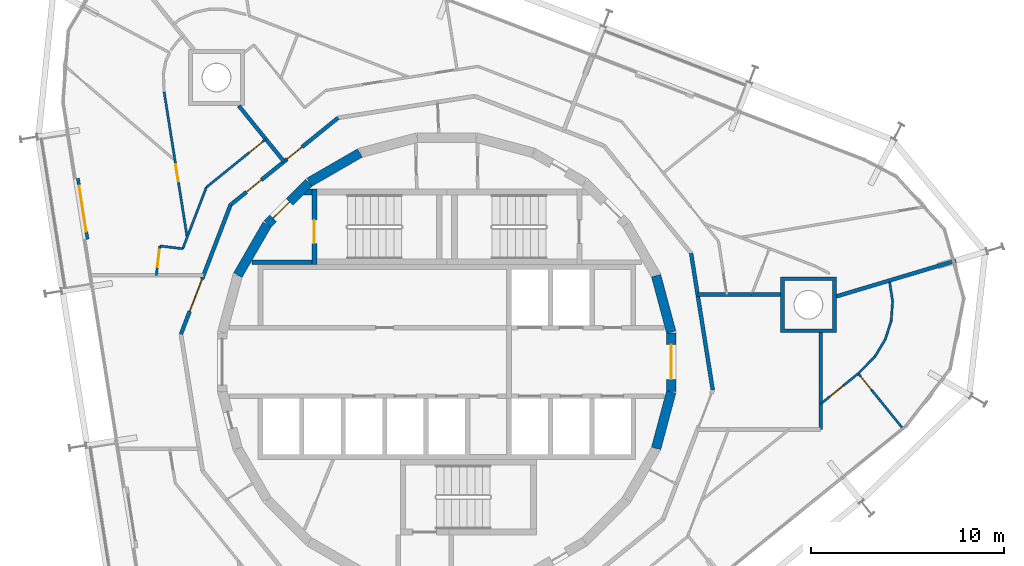
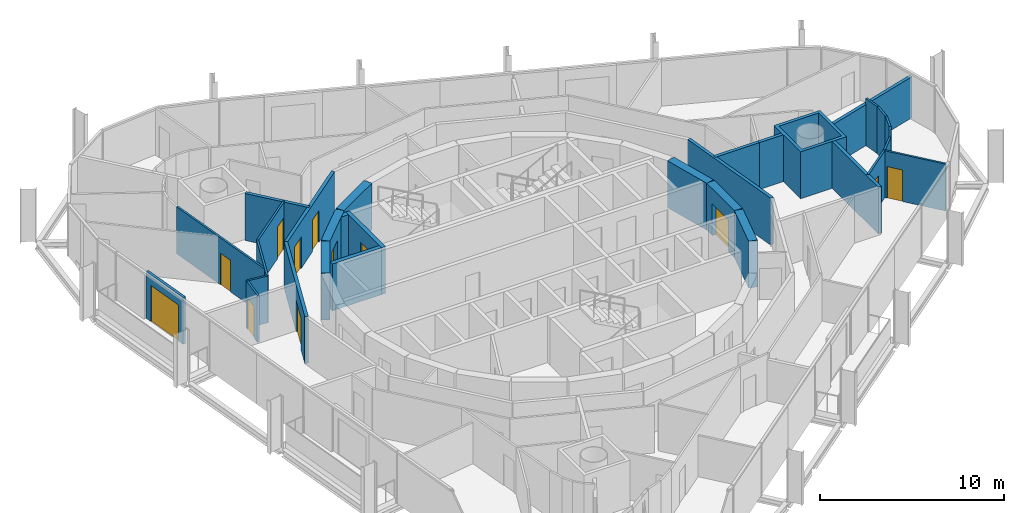
# One storey, part 14 of 17: 31 walls, 12 doors, 12 openings.
"""IFC4 building model written with IfcOpenShell, lengths in metres."""

from ifc_helpers import new_model, si_unit, direction, frame, frame_2d, origin, place, context, subcontext, project, spatial, polyline, rectangle, outline, extrude, material, layer, layer_set, type_object, element, fill, save


model = new_model("IFC4")

# Units and contexts
model_context = context("Model", 3, precision=1e-05, world=origin(), true_north=direction((0.0, 1.0)))
body_context = subcontext(model_context, "Body", "Model", "MODEL_VIEW")
ifc_project = project(units=[si_unit("LENGTHUNIT", "METRE"), si_unit("AREAUNIT", "SQUARE_METRE"), si_unit("VOLUMEUNIT", "CUBIC_METRE"), si_unit("PLANEANGLEUNIT", "RADIAN"), si_unit("MASSUNIT", "GRAM", prefix="KILO")], contexts=[model_context])

# Site, building, storey
site_placement = place(None, origin())
site = spatial("IfcSite", under=ifc_project, at=site_placement, CompositionType="ELEMENT")
building_placement = place(site_placement, origin())
building = spatial("IfcBuilding", under=site, at=building_placement, Name="Spindle Arch Residences", CompositionType="ELEMENT")
storey_placement = place(building_placement, frame((0.0, 0.0, 266.89990234375)))
storey = spatial("IfcBuildingStorey", under=building, at=storey_placement, Name="L68", CompositionType="ELEMENT", Elevation=266.89990234375)

# Wall
ifc_material_1 = material(Name="Concrete C50/60", Category="concrete")
ifc_layer_1 = layer(ifc_material_1, 0.5)
ifc_layer_set_1 = layer_set([ifc_layer_1], Name="Core outline wall 500")
wall_type_1 = type_object("IfcWallType", Name="Core outline wall 500", PredefinedType="SHEAR", material=ifc_layer_set_1)
wall_1_placement = place(storey_placement, frame((10.858154296875, -4.479248046875, 0.0), z_axis=(0.0, 0.0, 1.0), x_axis=(0.258734743916, 0.965948410781, 0.0)))
element("IfcWall", 1, at=wall_1_placement, inside=storey, type_object=wall_type_1, Name="Core outline wall 5", PredefinedType="SHEAR", context=body_context, shape_type="SweptSolid", body=[
    extrude(rectangle(XDim=3.03271484375, YDim=0.5, at=frame_2d((1.516357421875, 0.0))), origin(), (0.0, 0.0, 1.0), 3.1201171875),
])

# Wall, opening, door
wall_2_placement = place(storey_placement, frame((11.647216796875, -1.516357421875, 0.0), z_axis=(0.0, 0.0, 1.0), x_axis=(0.0, 1.0, 0.0)))
wall_2 = element("IfcWall", 2, at=wall_2_placement, inside=storey, type_object=wall_type_1, Name="Core outline wall 6", PredefinedType="SHEAR", context=body_context, shape_type="SweptSolid", body=[
    extrude(rectangle(XDim=3.03271484375, YDim=0.5, at=frame_2d((1.516357421875, 0.0))), origin(), (0.0, 0.0, 1.0), 3.1201171875),
])
opening_1_placement = place(wall_2_placement, frame((0.6162109375, 0.0, 0.0)))
opening_1 = element("IfcOpeningElement", 3, at=opening_1_placement, cuts=wall_2, Name="Opening R7A1-FE01", PredefinedType="OPENING", context=body_context, shape_type="SweptSolid", body=[
    extrude(rectangle(XDim=1.800048828125, YDim=2.10009765625, at=frame_2d((0.89990234375, 1.050048828125))), frame((0.0, 0.260009765625, 0.0), z_axis=(0.0, -1.0, 0.0), x_axis=(1.0, 0.0, 0.0)), (0.0, 0.0, 1.0), 0.52001953125),
])
ifc_material_2 = material(Name="Steel, fire-resisting door", Category="steel")
door_type_1 = type_object("IfcDoorType", Name="Fire-lift lobby door 1800x2100", OperationType="DOUBLE_DOOR_SINGLE_SWING", PredefinedType="DOOR", material=ifc_material_2)
door_1_placement = place(opening_1_placement, origin())
door_1 = element("IfcDoor", 4, at=door_1_placement, inside=storey, type_object=door_type_1, Name="Fire-lift lobby door R7A1-FE01", OperationType="DOUBLE_DOOR_SINGLE_SWING", OverallHeight=2.10009765625, OverallWidth=1.800048828125, PredefinedType="DOOR", context=body_context, shape_type="SweptSolid", body=[
    extrude(rectangle(XDim=1.800048828125, YDim=2.10009765625, at=frame_2d((0.89990234375, 1.050048828125))), frame((0.0, 0.02490234375, 0.0), z_axis=(0.0, -1.0, 0.0), x_axis=(1.0, 0.0, 0.0)), (0.0, 0.0, 1.0), 0.050048828125),
])
fill(opening_1, door_1)

# Walls
for number, where, z_axis, x_axis, name in (
    (5, (11.642822265625, 1.5498046875, 0.0), (0.0, 0.0, 1.0), (-0.258734743916, 0.965948410781, 0.0), "Core outline wall 7"),
    (6, (-4.510498046875, 10.84521484375, 0.0), (0.0, 0.0, 1.0), (-0.865975092491, -0.500087131594, 0.0), "Core outline wall 14"),
):
    element("IfcWall", number, at=place(storey_placement, frame(where, z_axis=z_axis, x_axis=x_axis)), inside=storey, type_object=wall_type_1, Name=name, PredefinedType="SHEAR", context=body_context, shape_type="SweptSolid", body=[
        extrude(rectangle(XDim=3.03271484375, YDim=0.5, at=frame_2d((1.516357421875, 0.0))), origin(), (0.0, 0.0, 1.0), 3.1201171875),
    ])

# Wall, opening, door
wall_3_placement = place(storey_placement, frame((-7.163818359375, 9.30810546875, 0.0), z_axis=(0.0, 0.0, 1.0), x_axis=(-0.707106781187, -0.707106781187, 0.0)))
wall_3 = element("IfcWall", 7, at=wall_3_placement, inside=storey, type_object=wall_type_1, Name="Core outline wall 15", PredefinedType="SHEAR", context=body_context, shape_type="SweptSolid", body=[
    extrude(rectangle(XDim=3.032470703125, YDim=0.5, at=frame_2d((1.51611328125, 0.0))), origin(), (0.0, 0.0, 1.0), 3.1201171875),
])
opening_2_placement = place(wall_3_placement, frame((1.416259765625, 0.0, 0.0)))
opening_2 = element("IfcOpeningElement", 8, at=opening_2_placement, cuts=wall_3, Name="Opening R7A1-AD02", PredefinedType="OPENING", context=body_context, shape_type="SweptSolid", body=[
    extrude(rectangle(XDim=1.199951171875, YDim=2.10009765625, at=frame_2d((0.60009765625, 1.050048828125))), frame((0.0, 0.260009765625, 0.0), z_axis=(0.0, -1.0, 0.0), x_axis=(1.0, 0.0, 0.0)), (0.0, 0.0, 1.0), 0.52001953125),
])
ifc_material_3 = material(Name="Steel, fire-resisting door", Category="steel")
door_type_2 = type_object("IfcDoorType", Name="Stair airlock door 1200x2100", OperationType="SINGLE_SWING_LEFT", PredefinedType="DOOR", material=ifc_material_3)
door_2_placement = place(opening_2_placement, origin())
door_2 = element("IfcDoor", 9, at=door_2_placement, inside=storey, type_object=door_type_2, Name="Stair airlock door R7A1-AD02", OperationType="SINGLE_SWING_RIGHT", OverallHeight=2.10009765625, OverallWidth=1.199951171875, PredefinedType="DOOR", context=body_context, shape_type="SweptSolid", body=[
    extrude(rectangle(XDim=1.199951171875, YDim=2.10009765625, at=frame_2d((0.60009765625, 1.050048828125))), frame((0.0, 0.02490234375, 0.0), z_axis=(0.0, -1.0, 0.0), x_axis=(1.0, 0.0, 0.0)), (0.0, 0.0, 1.0), 0.050048828125),
])
fill(opening_2, door_2)

# Wall
wall_4_placement = place(storey_placement, frame((-9.32861328125, 7.13671875, 0.0), z_axis=(0.0, 0.0, 1.0), x_axis=(-0.500087131594, -0.865975092491, 0.0)))
element("IfcWall", 10, at=wall_4_placement, inside=storey, type_object=wall_type_1, Name="Core outline wall 16", PredefinedType="SHEAR", context=body_context, shape_type="SweptSolid", body=[
    extrude(rectangle(XDim=3.03271484375, YDim=0.5, at=frame_2d((1.516357421875, 0.0))), origin(), (0.0, 0.0, 1.0), 3.1201171875),
])

# Wall, openings, doors
ifc_material_4 = material(Name="Calcium silicate block, plastered")
ifc_layer_2 = layer(ifc_material_4, 0.199951171875)
ifc_layer_set_2 = layer_set([ifc_layer_2], Name="Corridor wall 200")
wall_type_2 = type_object("IfcWallType", Name="Corridor wall 200", PredefinedType="STANDARD", material=ifc_layer_set_2)
wall_5_placement = place(storey_placement, frame((-5.642578125, 12.67333984375, 0.0), z_axis=(0.0, 0.0, 1.0), x_axis=(-0.777160148113, -0.629302871585, 0.0)))
wall_5 = element("IfcWall", 11, at=wall_5_placement, inside=storey, type_object=wall_type_2, Name="Corridor wall R7A1-W011", PredefinedType="STANDARD", context=body_context, shape_type="SweptSolid", body=[
    extrude(rectangle(XDim=7.180908203125, YDim=0.199951171875, at=frame_2d((3.59033203125, 0.0))), origin(), (0.0, 0.0, 1.0), 3.1201171875),
])
opening_3_placement = place(wall_5_placement, frame((2.410400390625, 0.0, 0.0)))
opening_3 = element("IfcOpeningElement", 12, at=opening_3_placement, cuts=wall_5, Name="Opening R7A1-FD02", PredefinedType="OPENING", context=body_context, shape_type="SweptSolid", body=[
    extrude(rectangle(XDim=1.0, YDim=2.10009765625, at=frame_2d((0.5, 1.050048828125))), frame((0.0, 0.10986328125, 0.0), z_axis=(0.0, -1.0, 0.0), x_axis=(1.0, 0.0, 0.0)), (0.0, 0.0, 1.0), 0.219970703125),
])
opening_4_placement = place(wall_5_placement, frame((5.111572265625, 0.0, 0.0)))
opening_4 = element("IfcOpeningElement", 13, at=opening_4_placement, cuts=wall_5, Name="Opening R7A1-FD03", PredefinedType="OPENING", context=body_context, shape_type="SweptSolid", body=[
    extrude(rectangle(XDim=1.0, YDim=2.10009765625, at=frame_2d((0.5, 1.050048828125))), frame((0.0, 0.10986328125, 0.0), z_axis=(0.0, -1.0, 0.0), x_axis=(1.0, 0.0, 0.0)), (0.0, 0.0, 1.0), 0.219970703125),
])
ifc_material_5 = material(Name="Timber, fire-resisting door set", Category="wood")
door_type_3 = type_object("IfcDoorType", Name="Flat entrance door 1000x2100", OperationType="NOTDEFINED", PredefinedType="DOOR", material=ifc_material_5)
door_3_placement = place(opening_3_placement, origin())
door_3 = element("IfcDoor", 14, at=door_3_placement, inside=storey, type_object=door_type_3, Name="Flat entrance door R7A1-FD02", OperationType="SINGLE_SWING_RIGHT", OverallHeight=2.10009765625, OverallWidth=1.0, PredefinedType="DOOR", context=body_context, shape_type="SweptSolid", body=[
    extrude(rectangle(XDim=1.0, YDim=2.10009765625, at=frame_2d((0.5, 1.050048828125))), frame((0.0, 0.02490234375, 0.0), z_axis=(0.0, -1.0, 0.0), x_axis=(1.0, 0.0, 0.0)), (0.0, 0.0, 1.0), 0.050048828125),
])
fill(opening_3, door_3)
door_4_placement = place(opening_4_placement, origin())
door_4 = element("IfcDoor", 15, at=door_4_placement, inside=storey, type_object=door_type_3, Name="Flat entrance door R7A1-FD03", OperationType="SINGLE_SWING_LEFT", OverallHeight=2.10009765625, OverallWidth=1.0, PredefinedType="DOOR", context=body_context, shape_type="SweptSolid", body=[
    extrude(rectangle(XDim=1.0, YDim=2.10009765625, at=frame_2d((0.5, 1.050048828125))), frame((0.0, 0.02490234375, 0.0), z_axis=(0.0, -1.0, 0.0), x_axis=(1.0, 0.0, 0.0)), (0.0, 0.0, 1.0), 0.050048828125),
])
fill(opening_4, door_4)

# Walls
ifc_material_6 = material(Name="Calcium silicate block, plastered")
ifc_layer_3 = layer(ifc_material_6, 0.199951171875)
ifc_layer_set_3 = layer_set([ifc_layer_3], Name="Fire-lift lobby bay wall 200")
wall_type_3 = type_object("IfcWallType", Name="Fire-lift lobby bay wall 200", PredefinedType="STANDARD", material=ifc_layer_set_3)
wall_6_placement = place(storey_placement, frame((13.796630859375, -1.4501953125, 0.0), z_axis=(0.0, 0.0, 1.0), x_axis=(-0.156421704315, 0.987690361611, 0.0)))
element("IfcWall", 16, at=wall_6_placement, inside=storey, type_object=wall_type_3, Name="Fire-lift lobby bay wall R7A1-W005", PredefinedType="STANDARD", context=body_context, shape_type="SweptSolid", body=[
    extrude(rectangle(XDim=7.18115234375, YDim=0.199951171875, at=frame_2d((3.590576171875, 0.0))), origin(), (0.0, 0.0, 1.0), 3.1201171875),
])
wall_7_placement = place(storey_placement, frame((15.819091796875, 3.5, 0.0), z_axis=(0.0, 0.0, 1.0), x_axis=(-1.0, 0.0, 0.0)))
element("IfcWall", 17, at=wall_7_placement, inside=storey, type_object=wall_type_3, Name="Fire-lift lobby bay wall R7A1-W018", PredefinedType="STANDARD", context=body_context, shape_type="SweptSolid", body=[
    extrude(rectangle(XDim=2.806396484375, YDim=0.199951171875, at=frame_2d((1.4033203125, 0.0))), origin(), (0.0, 0.0, 1.0), 3.1201171875),
])
wall_8_placement = place(storey_placement, frame((17.309326171875, 3.5, 0.0), z_axis=(0.0, 0.0, 1.0), x_axis=(-1.0, 0.0, 0.0)))
element("IfcWall", 18, at=wall_8_placement, inside=storey, type_object=wall_type_3, Name="Fire-lift lobby bay wall R7A1-W019", PredefinedType="STANDARD", context=body_context, shape_type="SweptSolid", body=[
    extrude(rectangle(XDim=1.490234375, YDim=0.199951171875, at=frame_2d((0.7451171875, 0.0))), origin(), (0.0, 0.0, 1.0), 3.1201171875),
])
wall_9_placement = place(storey_placement, frame((19.39990234375, -3.5, 0.0), z_axis=(0.0, 0.0, 1.0), x_axis=(0.0, 1.0, 0.0)))
element("IfcWall", 19, at=wall_9_placement, inside=storey, type_object=wall_type_3, Name="Fire-lift lobby bay wall R7A1-W021", PredefinedType="STANDARD", context=body_context, shape_type="SweptSolid", body=[
    extrude(rectangle(XDim=5.021240234375, YDim=0.199951171875, at=frame_2d((2.5107421875, 0.0))), origin(), (0.0, 0.0, 1.0), 3.1201171875),
])

# Wall, opening, door
ifc_material_7 = material(Name="Plasterboard on steel studs", Category="steel")
ifc_layer_4 = layer(ifc_material_7, 0.1201171875)
ifc_layer_set_4 = layer_set([ifc_layer_4], Name="Flat partition 120")
wall_type_4 = type_object("IfcWallType", Name="Flat partition 120", PredefinedType="PARTITIONING", material=ifc_layer_set_4)
wall_10_placement = place(storey_placement, frame((-9.393310546875, 11.56640625, 0.0), z_axis=(0.0, 0.0, 1.0), x_axis=(-0.777100258587, -0.629376825205, 0.0)))
wall_10 = element("IfcWall", 20, at=wall_10_placement, inside=storey, type_object=wall_type_4, Name="Flat partition R7A1-W051", PredefinedType="PARTITIONING", context=body_context, shape_type="SweptSolid", body=[
    extrude(rectangle(XDim=3.971435546875, YDim=0.1201171875, at=frame_2d((1.98583984375, 0.0))), origin(), (0.0, 0.0, 1.0), 3.1201171875),
])
opening_5_placement = place(wall_10_placement, frame((0.199951171875, 0.0, 0.0)))
opening_5 = element("IfcOpeningElement", 21, at=opening_5_placement, cuts=wall_10, Name="Opening R7A1-ID10", PredefinedType="OPENING", context=body_context, shape_type="SweptSolid", body=[
    extrude(rectangle(XDim=0.89990234375, YDim=2.10009765625, at=frame_2d((0.449951171875, 1.050048828125))), frame((0.0, 0.070068359375, 0.0), z_axis=(0.0, -1.0, 0.0), x_axis=(1.0, 0.0, 0.0)), (0.0, 0.0, 1.0), 0.14013671875),
])
ifc_material_8 = material(Name="Timber door set", Category="wood")
door_type_4 = type_object("IfcDoorType", Name="Room door 900x2100", OperationType="NOTDEFINED", PredefinedType="DOOR", material=ifc_material_8)
door_5_placement = place(opening_5_placement, origin())
door_5 = element("IfcDoor", 22, at=door_5_placement, inside=storey, type_object=door_type_4, Name="Room door R7A1-ID10", OperationType="SINGLE_SWING_LEFT", OverallHeight=2.10009765625, OverallWidth=0.89990234375, PredefinedType="DOOR", context=body_context, shape_type="SweptSolid", body=[
    extrude(rectangle(XDim=0.89990234375, YDim=2.10009765625, at=frame_2d((0.449951171875, 1.050048828125))), frame((0.0, 0.02490234375, 0.0), z_axis=(0.0, -1.0, 0.0), x_axis=(1.0, 0.0, 0.0)), (0.0, 0.0, 1.0), 0.050048828125),
])
fill(opening_5, door_5)

# Walls
wall_11_placement = place(storey_placement, frame((-12.4794921875, 9.06689453125, 0.0), z_axis=(0.0, 0.0, 1.0), x_axis=(-0.358394302064, -0.933570310286, 0.0)))
element("IfcWall", 23, at=wall_11_placement, inside=storey, type_object=wall_type_4, Name="Flat partition R7A1-W052", PredefinedType="PARTITIONING", context=body_context, shape_type="SweptSolid", body=[
    extrude(rectangle(XDim=3.41357421875, YDim=0.1201171875, at=frame_2d((1.706787109375, 0.0))), origin(), (0.0, 0.0, 1.0), 3.1201171875),
])
wall_12_placement = place(storey_placement, frame((-13.702880859375, 5.880126953125, 0.0), z_axis=(0.0, 0.0, 1.0), x_axis=(-0.992763323859, 0.120087396509, 0.0)))
element("IfcWall", 24, at=wall_12_placement, inside=storey, type_object=wall_type_4, Name="Flat partition R7A1-W053", PredefinedType="PARTITIONING", context=body_context, shape_type="SweptSolid", body=[
    extrude(rectangle(XDim=1.1953125, YDim=0.1201171875, at=frame_2d((0.59765625, 0.0))), origin(), (0.0, 0.0, 1.0), 3.1201171875),
])

# Wall, opening, door
wall_13_placement = place(storey_placement, frame((-14.8896484375, 6.023681640625, 0.0), z_axis=(0.0, 0.0, 1.0), x_axis=(-0.120255360044, -0.992742992109, 0.0)))
wall_13 = element("IfcWall", 25, at=wall_13_placement, inside=storey, type_object=wall_type_4, Name="Flat partition R7A1-W054", PredefinedType="PARTITIONING", context=body_context, shape_type="SweptSolid", body=[
    extrude(rectangle(XDim=1.534912109375, YDim=0.1201171875, at=frame_2d((0.767578125, 0.0))), origin(), (0.0, 0.0, 1.0), 3.1201171875),
])
opening_6_placement = place(wall_13_placement, frame((0.199951171875, 0.0, 0.0)))
opening_6 = element("IfcOpeningElement", 26, at=opening_6_placement, cuts=wall_13, Name="Opening R7A1-ID11", PredefinedType="OPENING", context=body_context, shape_type="SweptSolid", body=[
    extrude(rectangle(XDim=0.89990234375, YDim=2.10009765625, at=frame_2d((0.449951171875, 1.050048828125))), frame((0.0, 0.070068359375, 0.0), z_axis=(0.0, -1.0, 0.0), x_axis=(1.0, 0.0, 0.0)), (0.0, 0.0, 1.0), 0.14013671875),
])
door_6_placement = place(opening_6_placement, origin())
door_6 = element("IfcDoor", 27, at=door_6_placement, inside=storey, type_object=door_type_4, Name="Room door R7A1-ID11", OperationType="SINGLE_SWING_LEFT", OverallHeight=2.10009765625, OverallWidth=0.89990234375, PredefinedType="DOOR", context=body_context, shape_type="SweptSolid", body=[
    extrude(rectangle(XDim=0.89990234375, YDim=2.10009765625, at=frame_2d((0.449951171875, 1.050048828125))), frame((0.0, 0.02490234375, 0.0), z_axis=(0.0, -1.0, 0.0), x_axis=(1.0, 0.0, 0.0)), (0.0, 0.0, 1.0), 0.050048828125),
])
fill(opening_6, door_6)

wall_14_placement = place(storey_placement, frame((-14.6708984375, 14.023193359375, 0.0), z_axis=(0.0, 0.0, 1.0), x_axis=(0.156438190471, -0.987687750538, 0.0)))
wall_14 = element("IfcWall", 28, at=wall_14_placement, inside=storey, type_object=wall_type_4, Name="Flat partition R7A1-W061", PredefinedType="PARTITIONING", context=body_context, shape_type="SweptSolid", body=[
    extrude(rectangle(XDim=7.643798828125, YDim=0.1201171875, at=frame_2d((3.82177734375, 0.0))), origin(), (0.0, 0.0, 1.0), 3.1201171875),
])
opening_7_placement = place(wall_14_placement, frame((3.802734375, 0.0, 0.0)))
opening_7 = element("IfcOpeningElement", 29, at=opening_7_placement, cuts=wall_14, Name="Opening R7A1-ID13", PredefinedType="OPENING", context=body_context, shape_type="SweptSolid", body=[
    extrude(rectangle(XDim=0.89990234375, YDim=2.10009765625, at=frame_2d((0.449951171875, 1.050048828125))), frame((0.0, 0.070068359375, 0.0), z_axis=(0.0, -1.0, 0.0), x_axis=(1.0, 0.0, 0.0)), (0.0, 0.0, 1.0), 0.14013671875),
])
door_7_placement = place(opening_7_placement, origin())
door_7 = element("IfcDoor", 30, at=door_7_placement, inside=storey, type_object=door_type_4, Name="Room door R7A1-ID13", OperationType="SINGLE_SWING_RIGHT", OverallHeight=2.10009765625, OverallWidth=0.89990234375, PredefinedType="DOOR", context=body_context, shape_type="SweptSolid", body=[
    extrude(rectangle(XDim=0.89990234375, YDim=2.10009765625, at=frame_2d((0.449951171875, 1.050048828125))), frame((0.0, 0.02490234375, 0.0), z_axis=(0.0, -1.0, 0.0), x_axis=(1.0, 0.0, 0.0)), (0.0, 0.0, 1.0), 0.050048828125),
])
fill(opening_7, door_7)

# Walls
wall_15_placement = place(storey_placement, frame((22.972412109375, 4.15283203125, 0.0), z_axis=(0.0, 0.0, 1.0), x_axis=(0.156209385929, -0.987723963336, 0.0)))
element("IfcWall", 31, at=wall_15_placement, inside=storey, type_object=wall_type_4, Name="Flat partition R7A1-W087", PredefinedType="PARTITIONING", context=body_context, shape_type="SweptSolid", body=[
    extrude(rectangle(XDim=1.015869140625, YDim=0.1201171875, at=frame_2d((0.5078125, 0.0))), origin(), (0.0, 0.0, 1.0), 3.1201171875),
])
wall_16_placement = place(storey_placement, frame((23.131103515625, 3.1494140625, 0.0), z_axis=(0.0, 0.0, 1.0), x_axis=(-0.075446997935, -0.99714981347, 0.0)))
element("IfcWall", 32, at=wall_16_placement, inside=storey, type_object=wall_type_4, Name="Flat partition R7A1-W088", PredefinedType="PARTITIONING", context=body_context, shape_type="SweptSolid", body=[
    extrude(rectangle(XDim=1.01611328125, YDim=0.1201171875, at=frame_2d((0.508056640625, 0.0))), origin(), (0.0, 0.0, 1.0), 3.1201171875),
])
wall_17_placement = place(storey_placement, frame((23.054443359375, 2.13623046875, 0.0), z_axis=(0.0, 0.0, 1.0), x_axis=(-0.303511129679, -0.952827893253, 0.0)))
element("IfcWall", 33, at=wall_17_placement, inside=storey, type_object=wall_type_4, Name="Flat partition R7A1-W089", PredefinedType="PARTITIONING", context=body_context, shape_type="SweptSolid", body=[
    extrude(rectangle(XDim=1.015869140625, YDim=0.1201171875, at=frame_2d((0.5078125, 0.0))), origin(), (0.0, 0.0, 1.0), 3.1201171875),
])
wall_18_placement = place(storey_placement, frame((22.74609375, 1.168212890625, 0.0), z_axis=(0.0, 0.0, 1.0), x_axis=(-0.515096534995, -0.857132171626, 0.0)))
element("IfcWall", 34, at=wall_18_placement, inside=storey, type_object=wall_type_4, Name="Flat partition R7A1-W090", PredefinedType="PARTITIONING", context=body_context, shape_type="SweptSolid", body=[
    extrude(rectangle(XDim=1.015625, YDim=0.1201171875, at=frame_2d((0.5078125, 0.0))), origin(), (0.0, 0.0, 1.0), 3.1201171875),
])
wall_19_placement = place(storey_placement, frame((22.222900390625, 0.297607421875, 0.0), z_axis=(0.0, 0.0, 1.0), x_axis=(-0.69880109182, -0.715316037896, 0.0)))
element("IfcWall", 35, at=wall_19_placement, inside=storey, type_object=wall_type_4, Name="Flat partition R7A1-W091", PredefinedType="PARTITIONING", context=body_context, shape_type="SweptSolid", body=[
    extrude(rectangle(XDim=1.22705078125, YDim=0.1201171875, at=frame_2d((0.613525390625, 0.0))), origin(), (0.0, 0.0, 1.0), 3.1201171875),
])

# Wall, opening, door
wall_20_placement = place(storey_placement, frame((21.346923828125, -0.59521484375, 0.0), z_axis=(0.0, 0.0, 1.0), x_axis=(0.62934843781, -0.7771232488, 0.0)))
wall_20 = element("IfcWall", 36, at=wall_20_placement, inside=storey, type_object=wall_type_4, Name="Flat partition R7A1-W092", PredefinedType="PARTITIONING", context=body_context, shape_type="SweptSolid", body=[
    extrude(rectangle(XDim=3.599853515625, YDim=0.1201171875, at=frame_2d((1.7998046875, 0.0))), origin(), (0.0, 0.0, 1.0), 3.1201171875),
])
opening_8_placement = place(wall_20_placement, frame((0.199951171875, 0.0, 0.0)))
opening_8 = element("IfcOpeningElement", 37, at=opening_8_placement, cuts=wall_20, Name="Opening R7A1-ID25", PredefinedType="OPENING", context=body_context, shape_type="SweptSolid", body=[
    extrude(rectangle(XDim=0.89990234375, YDim=2.10009765625, at=frame_2d((0.449951171875, 1.050048828125))), frame((0.0, 0.070068359375, 0.0), z_axis=(0.0, -1.0, 0.0), x_axis=(1.0, 0.0, 0.0)), (0.0, 0.0, 1.0), 0.14013671875),
])
door_8_placement = place(opening_8_placement, origin())
door_8 = element("IfcDoor", 38, at=door_8_placement, inside=storey, type_object=door_type_4, Name="Room door R7A1-ID25", OperationType="SINGLE_SWING_RIGHT", OverallHeight=2.10009765625, OverallWidth=0.89990234375, PredefinedType="DOOR", context=body_context, shape_type="SweptSolid", body=[
    extrude(rectangle(XDim=0.89990234375, YDim=2.10009765625, at=frame_2d((0.449951171875, 1.050048828125))), frame((0.0, 0.02490234375, 0.0), z_axis=(0.0, -1.0, 0.0), x_axis=(1.0, 0.0, 0.0)), (0.0, 0.0, 1.0), 0.050048828125),
])
fill(opening_8, door_8)

wall_21_placement = place(storey_placement, frame((19.39990234375, -2.171875, 0.0), z_axis=(0.0, 0.0, 1.0), x_axis=(0.777147279935, 0.629318762862, 0.0)))
wall_21 = element("IfcWall", 39, at=wall_21_placement, inside=storey, type_object=wall_type_4, Name="Flat partition R7A1-W093", PredefinedType="PARTITIONING", context=body_context, shape_type="SweptSolid", body=[
    extrude(rectangle(XDim=2.50537109375, YDim=0.1201171875, at=frame_2d((1.252685546875, 0.0))), origin(), (0.0, 0.0, 1.0), 3.1201171875),
])
opening_9_placement = place(wall_21_placement, frame((0.60009765625, 0.0, 0.0)))
opening_9 = element("IfcOpeningElement", 40, at=opening_9_placement, cuts=wall_21, Name="Opening R7A1-ID26", PredefinedType="OPENING", context=body_context, shape_type="SweptSolid", body=[
    extrude(rectangle(XDim=0.89990234375, YDim=2.10009765625, at=frame_2d((0.449951171875, 1.050048828125))), frame((0.0, 0.070068359375, 0.0), z_axis=(0.0, -1.0, 0.0), x_axis=(1.0, 0.0, 0.0)), (0.0, 0.0, 1.0), 0.14013671875),
])
door_9_placement = place(opening_9_placement, origin())
door_9 = element("IfcDoor", 41, at=door_9_placement, inside=storey, type_object=door_type_4, Name="Room door R7A1-ID26", OperationType="SINGLE_SWING_LEFT", OverallHeight=2.10009765625, OverallWidth=0.89990234375, PredefinedType="DOOR", context=body_context, shape_type="SweptSolid", body=[
    extrude(rectangle(XDim=0.89990234375, YDim=2.10009765625, at=frame_2d((0.449951171875, 1.050048828125))), frame((0.0, 0.02490234375, 0.0), z_axis=(0.0, -1.0, 0.0), x_axis=(1.0, 0.0, 0.0)), (0.0, 0.0, 1.0), 0.050048828125),
])
fill(opening_9, door_9)

# Walls
ifc_material_9 = material(Name="Calcium silicate block, plastered")
ifc_layer_5 = layer(ifc_material_9, 0.199951171875)
ifc_layer_set_5 = layer_set([ifc_layer_5], Name="Flat party wall 200")
wall_type_5 = type_object("IfcWallType", Name="Flat party wall 200", PredefinedType="STANDARD", material=ifc_layer_set_5)
wall_22_placement = place(storey_placement, frame((-10.796142578125, 13.298828125, 0.0), z_axis=(0.0, 0.0, 1.0), x_axis=(0.629290499381, -0.777170166301, 0.0)))
element("IfcWall", 42, at=wall_22_placement, inside=storey, type_object=wall_type_5, Name="Flat party wall R7A1-W025", PredefinedType="STANDARD", context=body_context, shape_type="SweptSolid", body=[
    extrude(rectangle(XDim=3.7294921875, YDim=0.199951171875, at=frame_2d((1.86474609375, 0.0))), origin(), (0.0, 0.0, 1.0), 3.1201171875),
])
ifc_material_10 = material(Name="Calcium silicate block, plastered")
ifc_layer_6 = layer(ifc_material_10, 0.199951171875)
ifc_layer_set_6 = layer_set([ifc_layer_6], Name="Flat party wall 200 under beam 2730")
wall_type_6 = type_object("IfcWallType", Name="Flat party wall 200 under beam 2730", PredefinedType="STANDARD", material=ifc_layer_set_6)
wall_23_placement = place(storey_placement, frame((20.20947265625, 3.4052734375, 0.0), z_axis=(0.0, 0.0, 1.0), x_axis=(0.957991224208, 0.286797514529, 0.0)))
element("IfcWall", 43, at=wall_23_placement, inside=storey, type_object=wall_type_6, Name="Flat party wall R7A1-W024", PredefinedType="STANDARD", context=body_context, shape_type="SweptSolid", body=[
    extrude(rectangle(XDim=6.471435546875, YDim=0.199951171875, at=frame_2d((3.23583984375, 0.0))), origin(), (0.0, 0.0, 1.0), 2.72998046875),
])

# Wall, opening, door
ifc_material_11 = material(Name="Non-combustible mineral wool insulated aluminium faced external wall (K0)", Category="aluminium")
ifc_layer_7 = layer(ifc_material_11, 0.159912109375)
ifc_layer_set_7 = layer_set([ifc_layer_7], Name="Insulated external wall panel 160")
wall_type_7 = type_object("IfcWallType", Name="Insulated external wall panel 160", PredefinedType="STANDARD", material=ifc_layer_set_7)
wall_24_placement = place(storey_placement, frame((-19.1435546875, 9.53271484375, 0.0), z_axis=(0.0, 0.0, 1.0), x_axis=(0.156401347891, -0.987693585267, 0.0)))
wall_24 = element("IfcWall", 44, at=wall_24_placement, inside=storey, type_object=wall_type_7, Name="External wall L68 bay 12", PredefinedType="STANDARD", context=body_context, shape_type="SweptSolid", body=[
    extrude(rectangle(XDim=3.199951171875, YDim=0.159912109375, at=frame_2d((1.60009765625, 0.0))), origin(), (0.0, 0.0, 1.0), 3.1201171875),
])
opening_10_placement = place(wall_24_placement, frame((0.39990234375, 0.0, 0.0)))
opening_10 = element("IfcOpeningElement", 45, at=opening_10_placement, cuts=wall_24, Name="Opening BD12", PredefinedType="OPENING", context=body_context, shape_type="SweptSolid", body=[
    extrude(rectangle(XDim=2.39990234375, YDim=2.39990234375, at=frame_2d((1.199951171875, 1.199951171875))), frame((0.0, 0.08984375, 0.0), z_axis=(0.0, -1.0, 0.0), x_axis=(1.0, 0.0, 0.0)), (0.0, 0.0, 1.0), 0.179931640625),
])
ifc_material_12 = material(Name="Bronze aluminium frame, tinted double glazing", Category="aluminium")
door_type_5 = type_object("IfcDoorType", Name="Sliding glazed balcony door 2400x2400", OperationType="DOUBLE_DOOR_SLIDING", PredefinedType="DOOR", material=ifc_material_12)
door_10_placement = place(opening_10_placement, origin())
door_10 = element("IfcDoor", 46, at=door_10_placement, inside=storey, type_object=door_type_5, Name="Balcony door BD12", OperationType="DOUBLE_DOOR_SLIDING", OverallHeight=2.39990234375, OverallWidth=2.39990234375, PredefinedType="DOOR", context=body_context, shape_type="SweptSolid", body=[
    extrude(rectangle(XDim=2.39990234375, YDim=2.39990234375, at=frame_2d((1.199951171875, 1.199951171875))), frame((0.0, 0.02490234375, 0.0), z_axis=(0.0, -1.0, 0.0), x_axis=(1.0, 0.0, 0.0)), (0.0, 0.0, 1.0), 0.050048828125),
])
fill(opening_10, door_10)

ifc_material_13 = material(Name="Calcium silicate block, plastered")
ifc_layer_8 = layer(ifc_material_13, 0.199951171875)
ifc_layer_set_8 = layer_set([ifc_layer_8], Name="Lift lobby bay wall 200")
wall_type_8 = type_object("IfcWallType", Name="Lift lobby bay wall 200", PredefinedType="STANDARD", material=ifc_layer_set_8)
wall_25_placement = place(storey_placement, frame((-11.223388671875, 8.154296875, 0.0), z_axis=(0.0, 0.0, 1.0), x_axis=(-0.358341090983, -0.93359073609, 0.0)))
wall_25 = element("IfcWall", 47, at=wall_25_placement, inside=storey, type_object=wall_type_8, Name="Lift lobby bay wall R7A1-W009", PredefinedType="STANDARD", context=body_context, shape_type="SweptSolid", body=[
    extrude(rectangle(XDim=7.180908203125, YDim=0.199951171875, at=frame_2d((3.59033203125, 0.0))), origin(), (0.0, 0.0, 1.0), 3.1201171875),
])
opening_11_placement = place(wall_25_placement, frame((4.1142578125, 0.0, 0.0)))
opening_11 = element("IfcOpeningElement", 48, at=opening_11_placement, cuts=wall_25, Name="Opening R7A1-LB01", PredefinedType="OPENING", context=body_context, shape_type="SweptSolid", body=[
    extrude(rectangle(XDim=1.800048828125, YDim=2.10009765625, at=frame_2d((0.89990234375, 1.050048828125))), frame((0.0, 0.10986328125, 0.0), z_axis=(0.0, -1.0, 0.0), x_axis=(1.0, 0.0, 0.0)), (0.0, 0.0, 1.0), 0.219970703125),
])
ifc_material_14 = material(Name="Steel, fire-resisting door", Category="steel")
door_type_6 = type_object("IfcDoorType", Name="Lift lobby bay door 1800x2100", OperationType="NOTDEFINED", PredefinedType="DOOR", material=ifc_material_14)
door_11_placement = place(opening_11_placement, origin())
door_11 = element("IfcDoor", 49, at=door_11_placement, inside=storey, type_object=door_type_6, Name="Lift lobby bay door R7A1-LB01", OperationType="DOUBLE_DOOR_SINGLE_SWING", OverallHeight=2.10009765625, OverallWidth=1.800048828125, PredefinedType="DOOR", context=body_context, shape_type="SweptSolid", body=[
    extrude(rectangle(XDim=1.800048828125, YDim=2.10009765625, at=frame_2d((0.89990234375, 1.050048828125))), frame((0.0, 0.02490234375, 0.0), z_axis=(0.0, -1.0, 0.0), x_axis=(1.0, 0.0, 0.0)), (0.0, 0.0, 1.0), 0.050048828125),
])
fill(opening_11, door_11)

# Walls
ifc_material_15 = material(Name="Calcium silicate block, plastered")
ifc_layer_9 = layer(ifc_material_15, 0.199951171875)
ifc_layer_set_9 = layer_set([ifc_layer_9], Name="Mega-column casing wall 200")
wall_type_9 = type_object("IfcWallType", Name="Mega-column casing wall 200", PredefinedType="STANDARD", material=ifc_layer_set_9)
wall_26_placement = place(storey_placement, origin())
element("IfcWall", 50, at=wall_26_placement, inside=storey, type_object=wall_type_9, Name="Mega-column casing wall R7A1-WC01", PredefinedType="STANDARD", context=body_context, shape_type="SweptSolid", body=[
    extrude(outline(polyline([(20.20947265625, 4.421142578125), (20.20947265625, 1.521240234375), (17.309326171875, 1.521240234375), (17.309326171875, 4.421142578125), (20.20947265625, 4.421142578125)]), holes=[polyline([(17.509521484375, 1.72119140625), (20.009521484375, 1.72119140625), (20.009521484375, 4.22119140625), (17.509521484375, 4.22119140625), (17.509521484375, 1.72119140625)])]), origin(), (0.0, 0.0, 1.0), 3.1201171875),
])
ifc_material_16 = material(Name="Concrete C40/50", Category="concrete")
ifc_layer_10 = layer(ifc_material_16, 0.25)
ifc_layer_set_10 = layer_set([ifc_layer_10], Name="Stair airlock wall 250")
wall_type_10 = type_object("IfcWallType", Name="Stair airlock wall 250", PredefinedType="SHEAR", material=ifc_layer_set_10)
wall_27_placement = place(storey_placement, frame((-7.0, 5.175048828125, 0.0), z_axis=(0.0, 0.0, 1.0), x_axis=(-1.0, 0.0, 0.0)))
element("IfcWall", 51, at=wall_27_placement, inside=storey, type_object=wall_type_10, Name="Stair ST-2 airlock wall S", PredefinedType="SHEAR", context=body_context, shape_type="SweptSolid", body=[
    extrude(rectangle(XDim=3.10009765625, YDim=0.25, at=frame_2d((1.550048828125, 0.0))), origin(), (0.0, 0.0, 1.0), 3.1201171875),
])
ifc_material_17 = material(Name="Concrete C40/50", Category="concrete")
wall_type_11 = type_object("IfcWallType", Name="Stair airlock wall profile", PredefinedType="SHEAR", material=ifc_material_17)
wall_28_placement = place(storey_placement, origin())
element("IfcWall", 52, at=wall_28_placement, inside=storey, type_object=wall_type_11, Name="Stair ST-2 airlock wall N", PredefinedType="SHEAR", context=body_context, shape_type="SweptSolid", body=[
    extrude(outline(polyline([(-7.148193359375, 8.969970703125), (-7.0, 8.969970703125), (-7.0, 8.669921875), (-7.4482421875, 8.669921875), (-7.148193359375, 8.969970703125)])), origin(), (0.0, 0.0, 1.0), 3.1201171875),
])

# Wall, opening, door
ifc_material_18 = material(Name="Concrete C50/60", Category="concrete")
ifc_layer_11 = layer(ifc_material_18, 0.25)
ifc_layer_set_11 = layer_set([ifc_layer_11], Name="Stair enclosure wall 250")
wall_type_12 = type_object("IfcWallType", Name="Stair enclosure wall 250", PredefinedType="SHEAR", material=ifc_layer_set_11)
wall_29_placement = place(storey_placement, frame((-6.875, 8.969970703125, 0.0), z_axis=(0.0, 0.0, 1.0), x_axis=(0.0, -1.0, 0.0)))
wall_29 = element("IfcWall", 53, at=wall_29_placement, inside=storey, type_object=wall_type_12, Name="Stair ST-2 door wall", PredefinedType="SHEAR", context=body_context, shape_type="SweptSolid", body=[
    extrude(rectangle(XDim=3.919921875, YDim=0.25, at=frame_2d((1.9599609375, 0.0))), origin(), (0.0, 0.0, 1.0), 3.1201171875),
])
opening_12_placement = place(wall_29_placement, frame((1.610107421875, 0.0, 0.0)))
opening_12 = element("IfcOpeningElement", 54, at=opening_12_placement, cuts=wall_29, Name="Opening R7A1-SD02", PredefinedType="OPENING", context=body_context, shape_type="SweptSolid", body=[
    extrude(rectangle(XDim=1.199951171875, YDim=2.10009765625, at=frame_2d((0.60009765625, 1.050048828125))), frame((0.0, 0.135009765625, 0.0), z_axis=(0.0, -1.0, 0.0), x_axis=(1.0, 0.0, 0.0)), (0.0, 0.0, 1.0), 0.27001953125),
])
ifc_material_19 = material(Name="Steel, fire-resisting door", Category="steel")
door_type_7 = type_object("IfcDoorType", Name="Stair door 1200x2100", OperationType="SINGLE_SWING_RIGHT", PredefinedType="DOOR", material=ifc_material_19)
door_12_placement = place(opening_12_placement, origin())
door_12 = element("IfcDoor", 55, at=door_12_placement, inside=storey, type_object=door_type_7, Name="Stair door R7A1-SD02", OperationType="SINGLE_SWING_LEFT", OverallHeight=2.10009765625, OverallWidth=1.199951171875, PredefinedType="DOOR", context=body_context, shape_type="SweptSolid", body=[
    extrude(rectangle(XDim=1.199951171875, YDim=2.10009765625, at=frame_2d((0.60009765625, 1.050048828125))), frame((0.0, 0.02490234375, 0.0), z_axis=(0.0, -1.0, 0.0), x_axis=(1.0, 0.0, 0.0)), (0.0, 0.0, 1.0), 0.050048828125),
])
fill(opening_12, door_12)

save(model, "model.ifc")
